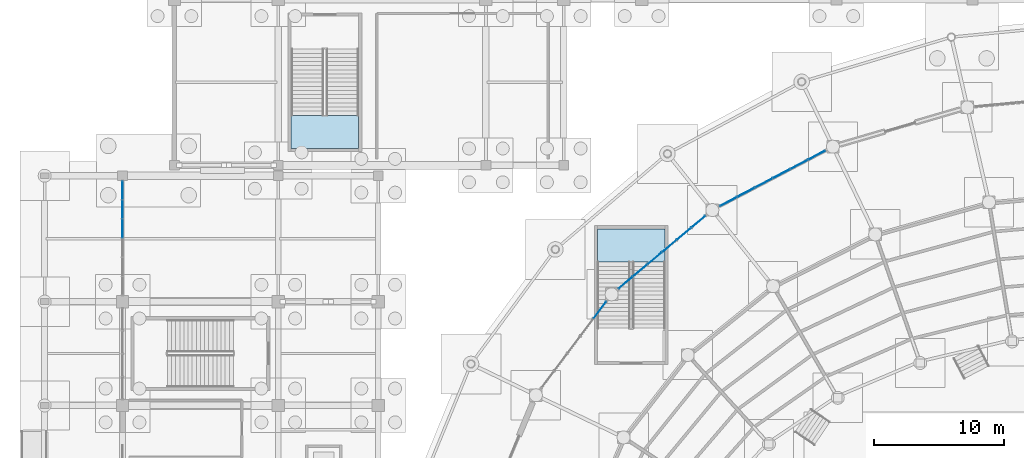
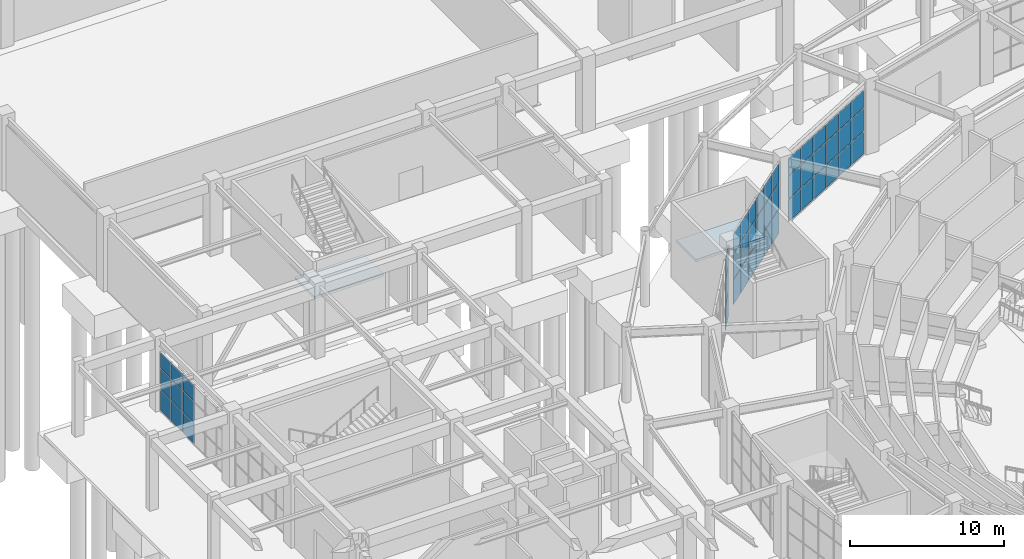
# One storey, part 70 of 121: 48 plates, 2 slabs, 6 elements without a shape of their own.
"""IFC4 building model written with IfcOpenShell, lengths in metres."""

from ifc_helpers import new_model, si_unit, direction, frame, origin, origin_2d, place, context, subcontext, project, spatial, polyline, rectangle, outline, extrude, material, layer, layer_set, type_object, element, aggregate, save


model = new_model("IFC4")

# Units and contexts
model_context = context("Model", 3, precision=1e-05, world=origin(), true_north=direction((0.0, 1.0)))
body_context = subcontext(model_context, "Body", "Model", "MODEL_VIEW")
ifc_project = project(units=[si_unit("LENGTHUNIT", "METRE"), si_unit("AREAUNIT", "SQUARE_METRE"), si_unit("VOLUMEUNIT", "CUBIC_METRE"), si_unit("PLANEANGLEUNIT", "RADIAN"), si_unit("MASSUNIT", "GRAM", prefix="KILO")], contexts=[model_context])

# Site, building, storey
site_placement = place(None, origin())
site = spatial("IfcSite", under=ifc_project, at=site_placement, CompositionType="ELEMENT")
building_placement = place(site_placement, origin())
building = spatial("IfcBuilding", under=site, at=building_placement, Name="Cuetzalor Civic Arena", CompositionType="ELEMENT")
storey_placement = place(building_placement, origin())
storey = spatial("IfcBuildingStorey", under=building, at=storey_placement, Name="L00", CompositionType="ELEMENT", Elevation=0.0)

# Curtain wall, plates
ifc_material_1 = material(Name="Anodised dark bronze aluminium and low-E solar glass", Category="aluminium")
curtain_wall_type_1 = type_object("IfcCurtainWallType", Name="UnitisedCW_9250x5150", PredefinedType="USERDEFINED", material=ifc_material_1)
curtain_wall_1_placement = place(storey_placement, origin())
curtain_wall_1 = element("IfcCurtainWall", 1, at=curtain_wall_1_placement, inside=storey, type_object=curtain_wall_type_1, Name="Drum Ground Recessed Concourse Curtain Wall L00-007", ObjectType="UNITISED CURTAIN WALL", PredefinedType="USERDEFINED")
ifc_material_2 = material(Name="Acoustic laminated solar control glass", Category="glass")
ifc_layer_1 = layer(ifc_material_2, 0.0439453125)
ifc_layer_set_1 = layer_set([ifc_layer_1], Name="Acoustic laminated solar control glass")
plate_type = type_object("IfcPlateType", Name="AcousticTripleGlazedPanel_44", PredefinedType="CURTAIN_PANEL", material=ifc_layer_set_1)
plate_1_placement = place(storey_placement, frame((-29.30126953125, 32.712158203125, 0.070068359375), z_axis=(0.0, 0.0, 1.0), x_axis=(0.885118421147, 0.465365856662, 0.0)))
plate_1 = element("IfcPlate", 2, at=plate_1_placement, type_object=plate_type, Name="CW-04 panel 1.1", PredefinedType="CURTAIN_PANEL", context=body_context, shape_type="SweptSolid", body=[
    extrude(rectangle(XDim=1.4365234375, YDim=0.0439453125, at=origin_2d()), origin(), (0.0, 0.0, 1.0), 1.751953125),
])
plate_2_placement = place(storey_placement, frame((-29.30126953125, 32.712158203125, 1.89208984375), z_axis=(0.0, 0.0, 1.0), x_axis=(0.885118421147, 0.465365856662, 0.0)))
plate_2 = element("IfcPlate", 3, at=plate_2_placement, type_object=plate_type, Name="CW-04 panel 1.2", PredefinedType="CURTAIN_PANEL", context=body_context, shape_type="SweptSolid", body=[
    extrude(rectangle(XDim=1.4365234375, YDim=0.0439453125, at=origin_2d()), origin(), (0.0, 0.0, 1.0), 1.785888671875),
])
plate_3_placement = place(storey_placement, frame((-29.30126953125, 32.712158203125, 3.748046875), z_axis=(0.0, 0.0, 1.0), x_axis=(0.885118421147, 0.465365856662, 0.0)))
plate_3 = element("IfcPlate", 4, at=plate_3_placement, type_object=plate_type, Name="CW-04 panel 1.3", PredefinedType="CURTAIN_PANEL", context=body_context, shape_type="SweptSolid", body=[
    extrude(rectangle(XDim=1.4365234375, YDim=0.0439453125, at=origin_2d()), origin(), (0.0, 0.0, 1.0), 1.339111328125),
])
plate_4_placement = place(storey_placement, frame((-27.952392578125, 33.42138671875, 0.070068359375), z_axis=(0.0, 0.0, 1.0), x_axis=(0.885118421147, 0.465365856662, 0.0)))
plate_4 = element("IfcPlate", 5, at=plate_4_placement, type_object=plate_type, Name="CW-04 panel 2.1", PredefinedType="CURTAIN_PANEL", context=body_context, shape_type="SweptSolid", body=[
    extrude(rectangle(XDim=1.4716796875, YDim=0.0439453125, at=origin_2d()), origin(), (0.0, 0.0, 1.0), 1.751953125),
])
plate_5_placement = place(storey_placement, frame((-27.952392578125, 33.42138671875, 1.89208984375), z_axis=(0.0, 0.0, 1.0), x_axis=(0.885118421147, 0.465365856662, 0.0)))
plate_5 = element("IfcPlate", 6, at=plate_5_placement, type_object=plate_type, Name="CW-04 panel 2.2", PredefinedType="CURTAIN_PANEL", context=body_context, shape_type="SweptSolid", body=[
    extrude(rectangle(XDim=1.4716796875, YDim=0.0439453125, at=origin_2d()), origin(), (0.0, 0.0, 1.0), 1.785888671875),
])
plate_6_placement = place(storey_placement, frame((-27.952392578125, 33.42138671875, 3.748046875), z_axis=(0.0, 0.0, 1.0), x_axis=(0.885118421147, 0.465365856662, 0.0)))
plate_6 = element("IfcPlate", 7, at=plate_6_placement, type_object=plate_type, Name="CW-04 panel 2.3", PredefinedType="CURTAIN_PANEL", context=body_context, shape_type="SweptSolid", body=[
    extrude(rectangle(XDim=1.4716796875, YDim=0.0439453125, at=origin_2d()), origin(), (0.0, 0.0, 1.0), 1.339111328125),
])
plate_7_placement = place(storey_placement, frame((-26.587890625, 34.138671875, 0.070068359375), z_axis=(0.0, 0.0, 1.0), x_axis=(0.885118421147, 0.465365856662, 0.0)))
plate_7 = element("IfcPlate", 8, at=plate_7_placement, type_object=plate_type, Name="CW-04 panel 3.1", PredefinedType="CURTAIN_PANEL", context=body_context, shape_type="SweptSolid", body=[
    extrude(rectangle(XDim=1.4716796875, YDim=0.0439453125, at=origin_2d()), origin(), (0.0, 0.0, 1.0), 1.751953125),
])
plate_8_placement = place(storey_placement, frame((-26.587890625, 34.138671875, 1.89208984375), z_axis=(0.0, 0.0, 1.0), x_axis=(0.885118421147, 0.465365856662, 0.0)))
plate_8 = element("IfcPlate", 9, at=plate_8_placement, type_object=plate_type, Name="CW-04 panel 3.2", PredefinedType="CURTAIN_PANEL", context=body_context, shape_type="SweptSolid", body=[
    extrude(rectangle(XDim=1.4716796875, YDim=0.0439453125, at=origin_2d()), origin(), (0.0, 0.0, 1.0), 1.785888671875),
])
plate_9_placement = place(storey_placement, frame((-26.587890625, 34.138671875, 3.748046875), z_axis=(0.0, 0.0, 1.0), x_axis=(0.885118421147, 0.465365856662, 0.0)))
plate_9 = element("IfcPlate", 10, at=plate_9_placement, type_object=plate_type, Name="CW-04 panel 3.3", PredefinedType="CURTAIN_PANEL", context=body_context, shape_type="SweptSolid", body=[
    extrude(rectangle(XDim=1.4716796875, YDim=0.0439453125, at=origin_2d()), origin(), (0.0, 0.0, 1.0), 1.339111328125),
])
plate_10_placement = place(storey_placement, frame((-25.223388671875, 34.856201171875, 0.070068359375), z_axis=(0.0, 0.0, 1.0), x_axis=(0.885118421147, 0.465365856662, 0.0)))
plate_10 = element("IfcPlate", 11, at=plate_10_placement, type_object=plate_type, Name="CW-04 panel 4.1", PredefinedType="CURTAIN_PANEL", context=body_context, shape_type="SweptSolid", body=[
    extrude(rectangle(XDim=1.4716796875, YDim=0.0439453125, at=origin_2d()), origin(), (0.0, 0.0, 1.0), 1.751953125),
])
plate_11_placement = place(storey_placement, frame((-25.223388671875, 34.856201171875, 1.89208984375), z_axis=(0.0, 0.0, 1.0), x_axis=(0.885118421147, 0.465365856662, 0.0)))
plate_11 = element("IfcPlate", 12, at=plate_11_placement, type_object=plate_type, Name="CW-04 panel 4.2", PredefinedType="CURTAIN_PANEL", context=body_context, shape_type="SweptSolid", body=[
    extrude(rectangle(XDim=1.4716796875, YDim=0.0439453125, at=origin_2d()), origin(), (0.0, 0.0, 1.0), 1.785888671875),
])
plate_12_placement = place(storey_placement, frame((-25.223388671875, 34.856201171875, 3.748046875), z_axis=(0.0, 0.0, 1.0), x_axis=(0.885118421147, 0.465365856662, 0.0)))
plate_12 = element("IfcPlate", 13, at=plate_12_placement, type_object=plate_type, Name="CW-04 panel 4.3", PredefinedType="CURTAIN_PANEL", context=body_context, shape_type="SweptSolid", body=[
    extrude(rectangle(XDim=1.4716796875, YDim=0.0439453125, at=origin_2d()), origin(), (0.0, 0.0, 1.0), 1.339111328125),
])
plate_13_placement = place(storey_placement, frame((-23.85888671875, 35.573486328125, 0.070068359375), z_axis=(0.0, 0.0, 1.0), x_axis=(0.885118421147, 0.465365856662, 0.0)))
plate_13 = element("IfcPlate", 14, at=plate_13_placement, type_object=plate_type, Name="CW-04 panel 5.1", PredefinedType="CURTAIN_PANEL", context=body_context, shape_type="SweptSolid", body=[
    extrude(rectangle(XDim=1.4716796875, YDim=0.0439453125, at=origin_2d()), origin(), (0.0, 0.0, 1.0), 1.751953125),
])
plate_14_placement = place(storey_placement, frame((-23.85888671875, 35.573486328125, 1.89208984375), z_axis=(0.0, 0.0, 1.0), x_axis=(0.885118421147, 0.465365856662, 0.0)))
plate_14 = element("IfcPlate", 15, at=plate_14_placement, type_object=plate_type, Name="CW-04 panel 5.2", PredefinedType="CURTAIN_PANEL", context=body_context, shape_type="SweptSolid", body=[
    extrude(rectangle(XDim=1.4716796875, YDim=0.0439453125, at=origin_2d()), origin(), (0.0, 0.0, 1.0), 1.785888671875),
])
plate_15_placement = place(storey_placement, frame((-23.85888671875, 35.573486328125, 3.748046875), z_axis=(0.0, 0.0, 1.0), x_axis=(0.885118421147, 0.465365856662, 0.0)))
plate_15 = element("IfcPlate", 16, at=plate_15_placement, type_object=plate_type, Name="CW-04 panel 5.3", PredefinedType="CURTAIN_PANEL", context=body_context, shape_type="SweptSolid", body=[
    extrude(rectangle(XDim=1.4716796875, YDim=0.0439453125, at=origin_2d()), origin(), (0.0, 0.0, 1.0), 1.339111328125),
])
plate_16_placement = place(storey_placement, frame((-22.510009765625, 36.28271484375, 0.070068359375), z_axis=(0.0, 0.0, 1.0), x_axis=(0.885118421147, 0.465365856662, 0.0)))
plate_16 = element("IfcPlate", 17, at=plate_16_placement, type_object=plate_type, Name="CW-04 panel 6.1", PredefinedType="CURTAIN_PANEL", context=body_context, shape_type="SweptSolid", body=[
    extrude(rectangle(XDim=1.4365234375, YDim=0.0439453125, at=origin_2d()), origin(), (0.0, 0.0, 1.0), 1.751953125),
])
plate_17_placement = place(storey_placement, frame((-22.510009765625, 36.28271484375, 1.89208984375), z_axis=(0.0, 0.0, 1.0), x_axis=(0.885118421147, 0.465365856662, 0.0)))
plate_17 = element("IfcPlate", 18, at=plate_17_placement, type_object=plate_type, Name="CW-04 panel 6.2", PredefinedType="CURTAIN_PANEL", context=body_context, shape_type="SweptSolid", body=[
    extrude(rectangle(XDim=1.4365234375, YDim=0.0439453125, at=origin_2d()), origin(), (0.0, 0.0, 1.0), 1.785888671875),
])
plate_18_placement = place(storey_placement, frame((-22.510009765625, 36.28271484375, 3.748046875), z_axis=(0.0, 0.0, 1.0), x_axis=(0.885118421147, 0.465365856662, 0.0)))
plate_18 = element("IfcPlate", 19, at=plate_18_placement, type_object=plate_type, Name="CW-04 panel 6.3", PredefinedType="CURTAIN_PANEL", context=body_context, shape_type="SweptSolid", body=[
    extrude(rectangle(XDim=1.4365234375, YDim=0.0439453125, at=origin_2d()), origin(), (0.0, 0.0, 1.0), 1.339111328125),
])
aggregate(curtain_wall_1, [plate_1, plate_2, plate_3, plate_4, plate_5, plate_6, plate_7, plate_8, plate_9, plate_10, plate_11, plate_12, plate_13, plate_14, plate_15, plate_16, plate_17, plate_18])

ifc_material_3 = material(Name="Anodised dark bronze aluminium and low-E solar glass", Category="aluminium")
curtain_wall_type_2 = type_object("IfcCurtainWallType", Name="UnitisedCW_8800x5700", PredefinedType="USERDEFINED", material=ifc_material_3)
curtain_wall_2_placement = place(storey_placement, origin())
curtain_wall_2 = element("IfcCurtainWall", 20, at=curtain_wall_2_placement, inside=storey, type_object=curtain_wall_type_2, Name="Drum Ground Recessed Concourse Curtain Wall L00-008", ObjectType="UNITISED CURTAIN WALL", PredefinedType="USERDEFINED")
plate_19_placement = place(storey_placement, frame((-37.233642578125, 26.46337890625, 0.06982421875), z_axis=(0.0, 0.0, 1.0), x_axis=(0.766928030459, 0.641733119059, 0.0)))
plate_19 = element("IfcPlate", 21, at=plate_19_placement, type_object=plate_type, Name="CW-03 panel 1.1", PredefinedType="CURTAIN_PANEL", context=body_context, shape_type="SweptSolid", body=[
    extrude(rectangle(XDim=1.364013671875, YDim=0.0439453125, at=origin_2d()), origin(), (0.0, 0.0, 1.0), 1.947021484375),
])
plate_20_placement = place(storey_placement, frame((-37.233642578125, 26.46337890625, 2.0869140625), z_axis=(0.0, 0.0, 1.0), x_axis=(0.766928030459, 0.641733119059, 0.0)))
plate_20 = element("IfcPlate", 22, at=plate_20_placement, type_object=plate_type, Name="CW-03 panel 1.2", PredefinedType="CURTAIN_PANEL", context=body_context, shape_type="SweptSolid", body=[
    extrude(rectangle(XDim=1.364013671875, YDim=0.0439453125, at=origin_2d()), origin(), (0.0, 0.0, 1.0), 1.98193359375),
])
plate_21_placement = place(storey_placement, frame((-37.233642578125, 26.46337890625, 4.13916015625), z_axis=(0.0, 0.0, 1.0), x_axis=(0.766928030459, 0.641733119059, 0.0)))
plate_21 = element("IfcPlate", 23, at=plate_21_placement, type_object=plate_type, Name="CW-03 panel 1.3", PredefinedType="CURTAIN_PANEL", context=body_context, shape_type="SweptSolid", body=[
    extrude(rectangle(XDim=1.364013671875, YDim=0.0439453125, at=origin_2d()), origin(), (0.0, 0.0, 1.0), 1.490966796875),
])
plate_22_placement = place(storey_placement, frame((-36.120361328125, 27.39501953125, 0.06982421875), z_axis=(0.0, 0.0, 1.0), x_axis=(0.766928030459, 0.641733119059, 0.0)))
plate_22 = element("IfcPlate", 24, at=plate_22_placement, type_object=plate_type, Name="CW-03 panel 2.1", PredefinedType="CURTAIN_PANEL", context=body_context, shape_type="SweptSolid", body=[
    extrude(rectangle(XDim=1.39892578125, YDim=0.0439453125, at=origin_2d()), origin(), (0.0, 0.0, 1.0), 1.947021484375),
])
plate_23_placement = place(storey_placement, frame((-36.120361328125, 27.39501953125, 2.0869140625), z_axis=(0.0, 0.0, 1.0), x_axis=(0.766928030459, 0.641733119059, 0.0)))
plate_23 = element("IfcPlate", 25, at=plate_23_placement, type_object=plate_type, Name="CW-03 panel 2.2", PredefinedType="CURTAIN_PANEL", context=body_context, shape_type="SweptSolid", body=[
    extrude(rectangle(XDim=1.39892578125, YDim=0.0439453125, at=origin_2d()), origin(), (0.0, 0.0, 1.0), 1.98193359375),
])
plate_24_placement = place(storey_placement, frame((-36.120361328125, 27.39501953125, 4.13916015625), z_axis=(0.0, 0.0, 1.0), x_axis=(0.766928030459, 0.641733119059, 0.0)))
plate_24 = element("IfcPlate", 26, at=plate_24_placement, type_object=plate_type, Name="CW-03 panel 2.3", PredefinedType="CURTAIN_PANEL", context=body_context, shape_type="SweptSolid", body=[
    extrude(rectangle(XDim=1.39892578125, YDim=0.0439453125, at=origin_2d()), origin(), (0.0, 0.0, 1.0), 1.490966796875),
])
plate_25_placement = place(storey_placement, frame((-34.99365234375, 28.337646484375, 0.06982421875), z_axis=(0.0, 0.0, 1.0), x_axis=(0.766928030459, 0.641733119059, 0.0)))
plate_25 = element("IfcPlate", 27, at=plate_25_placement, type_object=plate_type, Name="CW-03 panel 3.1", PredefinedType="CURTAIN_PANEL", context=body_context, shape_type="SweptSolid", body=[
    extrude(rectangle(XDim=1.39892578125, YDim=0.0439453125, at=origin_2d()), origin(), (0.0, 0.0, 1.0), 1.947021484375),
])
plate_26_placement = place(storey_placement, frame((-34.99365234375, 28.337646484375, 2.0869140625), z_axis=(0.0, 0.0, 1.0), x_axis=(0.766928030459, 0.641733119059, 0.0)))
plate_26 = element("IfcPlate", 28, at=plate_26_placement, type_object=plate_type, Name="CW-03 panel 3.2", PredefinedType="CURTAIN_PANEL", context=body_context, shape_type="SweptSolid", body=[
    extrude(rectangle(XDim=1.39892578125, YDim=0.0439453125, at=origin_2d()), origin(), (0.0, 0.0, 1.0), 1.98193359375),
])
plate_27_placement = place(storey_placement, frame((-34.99365234375, 28.337646484375, 4.13916015625), z_axis=(0.0, 0.0, 1.0), x_axis=(0.766928030459, 0.641733119059, 0.0)))
plate_27 = element("IfcPlate", 29, at=plate_27_placement, type_object=plate_type, Name="CW-03 panel 3.3", PredefinedType="CURTAIN_PANEL", context=body_context, shape_type="SweptSolid", body=[
    extrude(rectangle(XDim=1.39892578125, YDim=0.0439453125, at=origin_2d()), origin(), (0.0, 0.0, 1.0), 1.490966796875),
])
plate_28_placement = place(storey_placement, frame((-33.866943359375, 29.280517578125, 0.06982421875), z_axis=(0.0, 0.0, 1.0), x_axis=(0.766928030459, 0.641733119059, 0.0)))
plate_28 = element("IfcPlate", 30, at=plate_28_placement, type_object=plate_type, Name="CW-03 panel 4.1", PredefinedType="CURTAIN_PANEL", context=body_context, shape_type="SweptSolid", body=[
    extrude(rectangle(XDim=1.39892578125, YDim=0.0439453125, at=origin_2d()), origin(), (0.0, 0.0, 1.0), 1.947021484375),
])
plate_29_placement = place(storey_placement, frame((-33.866943359375, 29.280517578125, 2.0869140625), z_axis=(0.0, 0.0, 1.0), x_axis=(0.766928030459, 0.641733119059, 0.0)))
plate_29 = element("IfcPlate", 31, at=plate_29_placement, type_object=plate_type, Name="CW-03 panel 4.2", PredefinedType="CURTAIN_PANEL", context=body_context, shape_type="SweptSolid", body=[
    extrude(rectangle(XDim=1.39892578125, YDim=0.0439453125, at=origin_2d()), origin(), (0.0, 0.0, 1.0), 1.98193359375),
])
plate_30_placement = place(storey_placement, frame((-33.866943359375, 29.280517578125, 4.13916015625), z_axis=(0.0, 0.0, 1.0), x_axis=(0.766928030459, 0.641733119059, 0.0)))
plate_30 = element("IfcPlate", 32, at=plate_30_placement, type_object=plate_type, Name="CW-03 panel 4.3", PredefinedType="CURTAIN_PANEL", context=body_context, shape_type="SweptSolid", body=[
    extrude(rectangle(XDim=1.39892578125, YDim=0.0439453125, at=origin_2d()), origin(), (0.0, 0.0, 1.0), 1.490966796875),
])
plate_31_placement = place(storey_placement, frame((-32.740478515625, 30.22314453125, 0.06982421875), z_axis=(0.0, 0.0, 1.0), x_axis=(0.766928030459, 0.641733119059, 0.0)))
plate_31 = element("IfcPlate", 33, at=plate_31_placement, type_object=plate_type, Name="CW-03 panel 5.1", PredefinedType="CURTAIN_PANEL", context=body_context, shape_type="SweptSolid", body=[
    extrude(rectangle(XDim=1.39892578125, YDim=0.0439453125, at=origin_2d()), origin(), (0.0, 0.0, 1.0), 1.947021484375),
])
plate_32_placement = place(storey_placement, frame((-32.740478515625, 30.22314453125, 2.0869140625), z_axis=(0.0, 0.0, 1.0), x_axis=(0.766928030459, 0.641733119059, 0.0)))
plate_32 = element("IfcPlate", 34, at=plate_32_placement, type_object=plate_type, Name="CW-03 panel 5.2", PredefinedType="CURTAIN_PANEL", context=body_context, shape_type="SweptSolid", body=[
    extrude(rectangle(XDim=1.39892578125, YDim=0.0439453125, at=origin_2d()), origin(), (0.0, 0.0, 1.0), 1.98193359375),
])
plate_33_placement = place(storey_placement, frame((-32.740478515625, 30.22314453125, 4.13916015625), z_axis=(0.0, 0.0, 1.0), x_axis=(0.766928030459, 0.641733119059, 0.0)))
plate_33 = element("IfcPlate", 35, at=plate_33_placement, type_object=plate_type, Name="CW-03 panel 5.3", PredefinedType="CURTAIN_PANEL", context=body_context, shape_type="SweptSolid", body=[
    extrude(rectangle(XDim=1.39892578125, YDim=0.0439453125, at=origin_2d()), origin(), (0.0, 0.0, 1.0), 1.490966796875),
])
plate_34_placement = place(storey_placement, frame((-31.627197265625, 31.15478515625, 0.06982421875), z_axis=(0.0, 0.0, 1.0), x_axis=(0.766928030459, 0.641733119059, 0.0)))
plate_34 = element("IfcPlate", 36, at=plate_34_placement, type_object=plate_type, Name="CW-03 panel 6.1", PredefinedType="CURTAIN_PANEL", context=body_context, shape_type="SweptSolid", body=[
    extrude(rectangle(XDim=1.364013671875, YDim=0.0439453125, at=origin_2d()), origin(), (0.0, 0.0, 1.0), 1.947021484375),
])
plate_35_placement = place(storey_placement, frame((-31.627197265625, 31.15478515625, 2.0869140625), z_axis=(0.0, 0.0, 1.0), x_axis=(0.766928030459, 0.641733119059, 0.0)))
plate_35 = element("IfcPlate", 37, at=plate_35_placement, type_object=plate_type, Name="CW-03 panel 6.2", PredefinedType="CURTAIN_PANEL", context=body_context, shape_type="SweptSolid", body=[
    extrude(rectangle(XDim=1.364013671875, YDim=0.0439453125, at=origin_2d()), origin(), (0.0, 0.0, 1.0), 1.98193359375),
])
plate_36_placement = place(storey_placement, frame((-31.627197265625, 31.15478515625, 4.13916015625), z_axis=(0.0, 0.0, 1.0), x_axis=(0.766928030459, 0.641733119059, 0.0)))
plate_36 = element("IfcPlate", 38, at=plate_36_placement, type_object=plate_type, Name="CW-03 panel 6.3", PredefinedType="CURTAIN_PANEL", context=body_context, shape_type="SweptSolid", body=[
    extrude(rectangle(XDim=1.364013671875, YDim=0.0439453125, at=origin_2d()), origin(), (0.0, 0.0, 1.0), 1.490966796875),
])
aggregate(curtain_wall_2, [plate_19, plate_20, plate_21, plate_22, plate_23, plate_24, plate_25, plate_26, plate_27, plate_28, plate_29, plate_30, plate_31, plate_32, plate_33, plate_34, plate_35, plate_36])

ifc_material_4 = material(Name="Anodised dark bronze aluminium and low-E solar glass", Category="aluminium")
curtain_wall_type_3 = type_object("IfcCurtainWallType", Name="UnitisedCW_8450x5700", PredefinedType="USERDEFINED", material=ifc_material_4)
curtain_wall_3_placement = place(storey_placement, origin())
curtain_wall_3 = element("IfcCurtainWall", 39, at=curtain_wall_3_placement, inside=storey, type_object=curtain_wall_type_3, Name="Drum Ground Recessed Concourse Curtain Wall L00-009", ObjectType="UNITISED CURTAIN WALL", PredefinedType="USERDEFINED")
plate_37_placement = place(storey_placement, frame((-39.21484375, 24.35791015625, 0.06982421875), z_axis=(0.0, 0.0, 1.0), x_axis=(0.600491594925, 0.799631067696, 0.0)))
plate_37 = element("IfcPlate", 40, at=plate_37_placement, type_object=plate_type, Name="CW-02 panel 5.1", PredefinedType="CURTAIN_PANEL", context=body_context, shape_type="SweptSolid", body=[
    extrude(rectangle(XDim=1.58056640625, YDim=0.0439453125, at=origin_2d()), origin(), (0.0, 0.0, 1.0), 1.947021484375),
])
plate_38_placement = place(storey_placement, frame((-39.21484375, 24.35791015625, 2.0869140625), z_axis=(0.0, 0.0, 1.0), x_axis=(0.600491594925, 0.799631067696, 0.0)))
plate_38 = element("IfcPlate", 41, at=plate_38_placement, type_object=plate_type, Name="CW-02 panel 5.2", PredefinedType="CURTAIN_PANEL", context=body_context, shape_type="SweptSolid", body=[
    extrude(rectangle(XDim=1.58056640625, YDim=0.0439453125, at=origin_2d()), origin(), (0.0, 0.0, 1.0), 1.98193359375),
])
plate_39_placement = place(storey_placement, frame((-39.21484375, 24.35791015625, 4.13916015625), z_axis=(0.0, 0.0, 1.0), x_axis=(0.600491594925, 0.799631067696, 0.0)))
plate_39 = element("IfcPlate", 42, at=plate_39_placement, type_object=plate_type, Name="CW-02 panel 5.3", PredefinedType="CURTAIN_PANEL", context=body_context, shape_type="SweptSolid", body=[
    extrude(rectangle(XDim=1.58056640625, YDim=0.0439453125, at=origin_2d()), origin(), (0.0, 0.0, 1.0), 1.490966796875),
])
aggregate(curtain_wall_3, [plate_37, plate_38, plate_39])

ifc_material_5 = material(Name="Anodised dark bronze aluminium and low-E solar glass", Category="aluminium")
curtain_wall_type_4 = type_object("IfcCurtainWallType", Name="UnitisedCW_8900x4750", PredefinedType="USERDEFINED", material=ifc_material_5)
curtain_wall_4_placement = place(storey_placement, origin())
curtain_wall_4 = element("IfcCurtainWall", 43, at=curtain_wall_4_placement, inside=storey, type_object=curtain_wall_type_4, Name="V4W Colonnade Curtain Wall L00-107", ObjectType="UNITISED CURTAIN WALL", PredefinedType="USERDEFINED")
plate_40_placement = place(storey_placement, frame((-76.0, 30.640380859375, 0.070068359375), z_axis=(0.0, 0.0, 1.0), x_axis=(0.0, 1.0, 0.0)))
plate_40 = element("IfcPlate", 44, at=plate_40_placement, type_object=plate_type, Name="CW-35 panel 4.1", PredefinedType="CURTAIN_PANEL", context=body_context, shape_type="SweptSolid", body=[
    extrude(rectangle(XDim=1.410888671875, YDim=0.0439453125, at=origin_2d()), origin(), (0.0, 0.0, 1.0), 1.60107421875),
])
plate_41_placement = place(storey_placement, frame((-76.0, 30.640380859375, 1.7412109375), z_axis=(0.0, 0.0, 1.0), x_axis=(0.0, 1.0, 0.0)))
plate_41 = element("IfcPlate", 45, at=plate_41_placement, type_object=plate_type, Name="CW-35 panel 4.2", PredefinedType="CURTAIN_PANEL", context=body_context, shape_type="SweptSolid", body=[
    extrude(rectangle(XDim=1.410888671875, YDim=0.0439453125, at=origin_2d()), origin(), (0.0, 0.0, 1.0), 1.636962890625),
])
plate_42_placement = place(storey_placement, frame((-76.0, 30.640380859375, 3.4482421875), z_axis=(0.0, 0.0, 1.0), x_axis=(0.0, 1.0, 0.0)))
plate_42 = element("IfcPlate", 46, at=plate_42_placement, type_object=plate_type, Name="CW-35 panel 4.3", PredefinedType="CURTAIN_PANEL", context=body_context, shape_type="SweptSolid", body=[
    extrude(rectangle(XDim=1.410888671875, YDim=0.0439453125, at=origin_2d()), origin(), (0.0, 0.0, 1.0), 1.221923828125),
])
plate_43_placement = place(storey_placement, frame((-76.0, 32.12158203125, 0.070068359375), z_axis=(0.0, 0.0, 1.0), x_axis=(0.0, 1.0, 0.0)))
plate_43 = element("IfcPlate", 47, at=plate_43_placement, type_object=plate_type, Name="CW-35 panel 5.1", PredefinedType="CURTAIN_PANEL", context=body_context, shape_type="SweptSolid", body=[
    extrude(rectangle(XDim=1.410888671875, YDim=0.0439453125, at=origin_2d()), origin(), (0.0, 0.0, 1.0), 1.60107421875),
])
plate_44_placement = place(storey_placement, frame((-76.0, 32.12158203125, 1.7412109375), z_axis=(0.0, 0.0, 1.0), x_axis=(0.0, 1.0, 0.0)))
plate_44 = element("IfcPlate", 48, at=plate_44_placement, type_object=plate_type, Name="CW-35 panel 5.2", PredefinedType="CURTAIN_PANEL", context=body_context, shape_type="SweptSolid", body=[
    extrude(rectangle(XDim=1.410888671875, YDim=0.0439453125, at=origin_2d()), origin(), (0.0, 0.0, 1.0), 1.636962890625),
])
plate_45_placement = place(storey_placement, frame((-76.0, 32.12158203125, 3.4482421875), z_axis=(0.0, 0.0, 1.0), x_axis=(0.0, 1.0, 0.0)))
plate_45 = element("IfcPlate", 49, at=plate_45_placement, type_object=plate_type, Name="CW-35 panel 5.3", PredefinedType="CURTAIN_PANEL", context=body_context, shape_type="SweptSolid", body=[
    extrude(rectangle(XDim=1.410888671875, YDim=0.0439453125, at=origin_2d()), origin(), (0.0, 0.0, 1.0), 1.221923828125),
])
plate_46_placement = place(storey_placement, frame((-76.0, 33.5849609375, 0.070068359375), z_axis=(0.0, 0.0, 1.0), x_axis=(0.0, 1.0, 0.0)))
plate_46 = element("IfcPlate", 50, at=plate_46_placement, type_object=plate_type, Name="CW-35 panel 6.1", PredefinedType="CURTAIN_PANEL", context=body_context, shape_type="SweptSolid", body=[
    extrude(rectangle(XDim=1.3759765625, YDim=0.0439453125, at=origin_2d()), origin(), (0.0, 0.0, 1.0), 1.60107421875),
])
plate_47_placement = place(storey_placement, frame((-76.0, 33.5849609375, 1.7412109375), z_axis=(0.0, 0.0, 1.0), x_axis=(0.0, 1.0, 0.0)))
plate_47 = element("IfcPlate", 51, at=plate_47_placement, type_object=plate_type, Name="CW-35 panel 6.2", PredefinedType="CURTAIN_PANEL", context=body_context, shape_type="SweptSolid", body=[
    extrude(rectangle(XDim=1.3759765625, YDim=0.0439453125, at=origin_2d()), origin(), (0.0, 0.0, 1.0), 1.636962890625),
])
plate_48_placement = place(storey_placement, frame((-76.0, 33.5849609375, 3.4482421875), z_axis=(0.0, 0.0, 1.0), x_axis=(0.0, 1.0, 0.0)))
plate_48 = element("IfcPlate", 52, at=plate_48_placement, type_object=plate_type, Name="CW-35 panel 6.3", PredefinedType="CURTAIN_PANEL", context=body_context, shape_type="SweptSolid", body=[
    extrude(rectangle(XDim=1.3759765625, YDim=0.0439453125, at=origin_2d()), origin(), (0.0, 0.0, 1.0), 1.221923828125),
])
aggregate(curtain_wall_4, [plate_40, plate_41, plate_42, plate_43, plate_44, plate_45, plate_46, plate_47, plate_48])

# Stair, slab
ifc_material_6 = material(Name="Precast concrete C40/50", Category="concrete")
stair_type = type_object("IfcStairType", Name="EnclosedExitStair_H600", PredefinedType="HALF_TURN_STAIR", material=ifc_material_6)
stair_1_placement = place(storey_placement, origin())
stair_1 = element("IfcStair", 53, at=stair_1_placement, inside=storey, type_object=stair_type, Name="L00 Enclosed Exit Stair ST-04", PredefinedType="HALF_TURN_STAIR")
ifc_material_7 = material(Name="Concrete C40/50", Category="concrete")
ifc_layer_2 = layer(ifc_material_7, 0.199951171875)
ifc_layer_set_2 = layer_set([ifc_layer_2], Name="Concrete C40/50")
slab_type = type_object("IfcSlabType", Name="StairHalfLandingSlab_200", PredefinedType="LANDING", material=ifc_layer_set_2)
slab_1_placement = place(storey_placement, frame((0.0, 0.0, 2.800048828125)))
slab_1 = element("IfcSlab", 54, at=slab_1_placement, type_object=slab_type, Name="ST-04 landing 1", PredefinedType="LANDING", context=body_context, shape_type="SweptSolid", body=[
    extrude(outline(polyline([(-34.199951171875, 28.0380859375), (-34.199951171875, 30.60009765625), (-39.39990234375, 30.60009765625), (-39.39990234375, 28.0380859375), (-34.199951171875, 28.0380859375)])), origin(), (0.0, 0.0, 1.0), 0.199951171875),
])
aggregate(stair_1, [slab_1])

stair_2_placement = place(storey_placement, origin())
stair_2 = element("IfcStair", 55, at=stair_2_placement, inside=storey, type_object=stair_type, Name="L00 Enclosed Exit Stair ST-23", PredefinedType="HALF_TURN_STAIR")
slab_2_placement = place(storey_placement, frame((0.0, 0.0, 2.800048828125)))
slab_2 = element("IfcSlab", 56, at=slab_2_placement, type_object=slab_type, Name="ST-23 landing 1", PredefinedType="LANDING", context=body_context, shape_type="SweptSolid", body=[
    extrude(outline(polyline([(-63.0, 39.362060546875), (-63.0, 36.800048828125), (-57.800048828125, 36.800048828125), (-57.800048828125, 39.362060546875), (-63.0, 39.362060546875)])), origin(), (0.0, 0.0, 1.0), 0.199951171875),
])
aggregate(stair_2, [slab_2])

save(model, "model.ifc")
